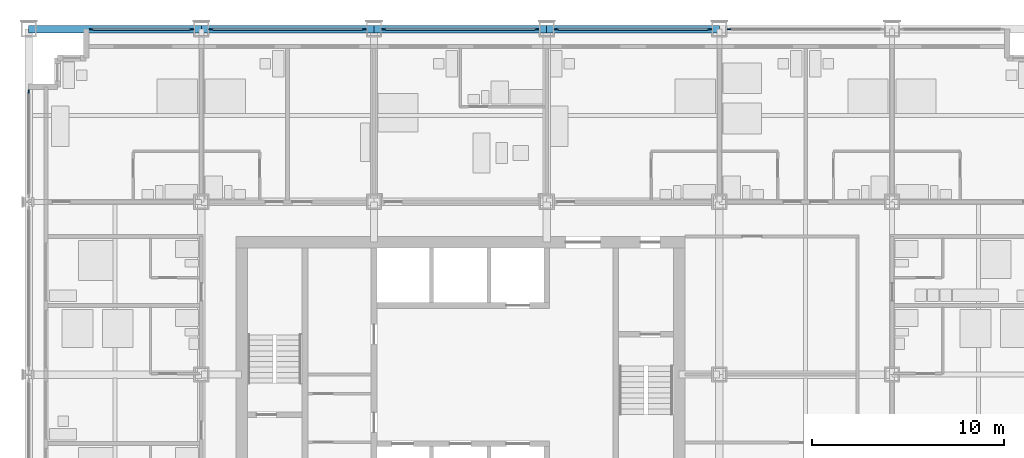
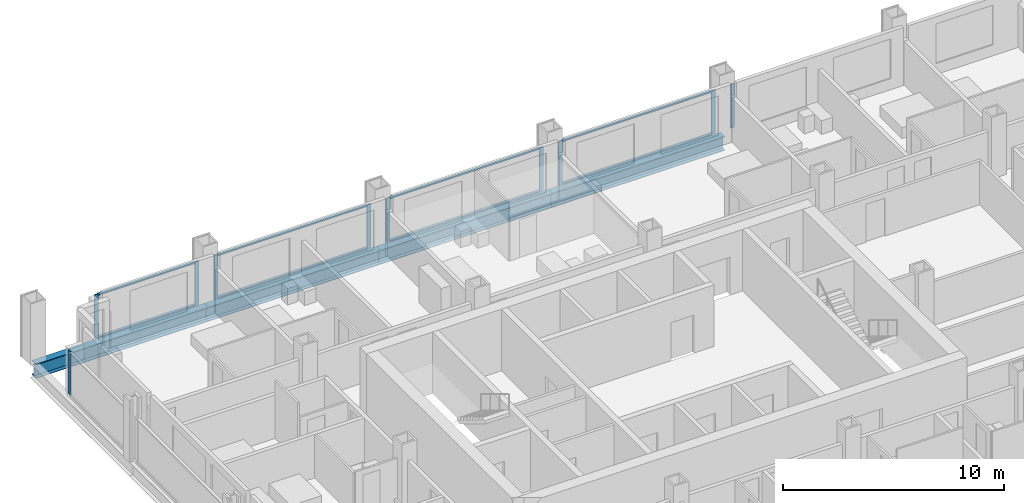
# One storey, part 7 of 18: 18 members, 4 beams, 6 elements without a shape of their own.
"""IFC4 building model written with IfcOpenShell, lengths in metres."""

from ifc_helpers import new_model, si_unit, direction, frame, origin, origin_2d, place, context, subcontext, project, spatial, rectangle, i_section, extrude, material, material_profile, profile_set, type_object, element, aggregate, save


model = new_model("IFC4")

# Units and contexts
model_context = context("Model", 3, precision=1e-05, world=origin(), true_north=direction((0.0, 1.0)))
body_context = subcontext(model_context, "Body", "Model", "MODEL_VIEW")
ifc_project = project(units=[si_unit("LENGTHUNIT", "METRE"), si_unit("AREAUNIT", "SQUARE_METRE"), si_unit("VOLUMEUNIT", "CUBIC_METRE"), si_unit("PLANEANGLEUNIT", "RADIAN"), si_unit("MASSUNIT", "GRAM", prefix="KILO")], contexts=[model_context])

# Site, building, storey
site_placement = place(None, origin())
site = spatial("IfcSite", under=ifc_project, at=site_placement, CompositionType="ELEMENT")
building_placement = place(site_placement, origin())
building = spatial("IfcBuilding", under=site, at=building_placement, Name="Loomwork Tower", CompositionType="ELEMENT")
storey_placement = place(building_placement, frame((0.0, 0.0, 82.39990234375)))
storey = spatial("IfcBuildingStorey", under=building, at=storey_placement, Name="L21", CompositionType="ELEMENT", Elevation=82.39990234375)

# Curtain wall, members
ifc_material_1 = material(Name="Aluminium curtain wall frame", Category="aluminium")
curtain_wall_type = type_object("IfcCurtainWallType", Name="Outer skin glazing hotel", PredefinedType="NOTDEFINED", material=ifc_material_1)
curtain_wall_1_placement = place(storey_placement, origin())
curtain_wall_1 = element("IfcCurtainWall", 1, at=curtain_wall_1_placement, inside=storey, type_object=curtain_wall_type, Name="Outer skin glazing hotel cw/N-0", PredefinedType="NOTDEFINED")
ifc_material_2 = material(Name="Aluminium curtain wall frame", Category="aluminium")
ifc_material_profile_1 = material_profile(ifc_material_2, rectangle(XDim=0.06494140625, YDim=0.199951171875, at=origin_2d()), Name="AL 65x200")
ifc_profile_set_1 = profile_set([ifc_material_profile_1], Name="Aluminium curtain wall frame")
member_type_1 = type_object("IfcMemberType", Name="Outer skin glazing hotel mullion", PredefinedType="MULLION", material=ifc_profile_set_1)
member_1_placement = place(storey_placement, frame((8.5, 36.0, 0.0), z_axis=(0.0, 0.0, 1.0), x_axis=(0.0, -1.0, 0.0)))
member_1 = element("IfcMember", 2, at=member_1_placement, type_object=member_type_1, Name="CW1 mullion 1", PredefinedType="MULLION", context=body_context, shape_type="SweptSolid", body=[
    extrude(rectangle(XDim=0.06494140625, YDim=0.199951171875, at=origin_2d()), origin(), (0.0, 0.0, 1.0), 2.42041015625),
])
member_2_placement = place(storey_placement, frame((3.25, 36.0, 0.0), z_axis=(0.0, 0.0, 1.0), x_axis=(0.0, -1.0, 0.0)))
member_2 = element("IfcMember", 3, at=member_2_placement, type_object=member_type_1, Name="CW1 mullion 2", PredefinedType="MULLION", context=body_context, shape_type="SweptSolid", body=[
    extrude(rectangle(XDim=0.06494140625, YDim=0.199951171875, at=origin_2d()), origin(), (0.0, 0.0, 1.0), 2.42041015625),
])

curtain_wall_2_placement = place(storey_placement, origin())
curtain_wall_2 = element("IfcCurtainWall", 4, at=curtain_wall_2_placement, inside=storey, type_object=curtain_wall_type, Name="Outer skin glazing hotel cw/N-9", PredefinedType="NOTDEFINED")
member_3_placement = place(storey_placement, frame((17.5, 36.0, 0.0), z_axis=(0.0, 0.0, 1.0), x_axis=(0.0, -1.0, 0.0)))
member_3 = element("IfcMember", 5, at=member_3_placement, type_object=member_type_1, Name="CW1 mullion 1", PredefinedType="MULLION", context=body_context, shape_type="SweptSolid", body=[
    extrude(rectangle(XDim=0.06494140625, YDim=0.199951171875, at=origin_2d()), origin(), (0.0, 0.0, 1.0), 2.42041015625),
])
member_4_placement = place(storey_placement, frame((9.5, 36.0, 0.0), z_axis=(0.0, 0.0, 1.0), x_axis=(0.0, -1.0, 0.0)))
member_4 = element("IfcMember", 6, at=member_4_placement, type_object=member_type_1, Name="CW1 mullion 2", PredefinedType="MULLION", context=body_context, shape_type="SweptSolid", body=[
    extrude(rectangle(XDim=0.06494140625, YDim=0.199951171875, at=origin_2d()), origin(), (0.0, 0.0, 1.0), 2.42041015625),
])

curtain_wall_3_placement = place(storey_placement, origin())
curtain_wall_3 = element("IfcCurtainWall", 7, at=curtain_wall_3_placement, inside=storey, type_object=curtain_wall_type, Name="Outer skin glazing hotel cw/N-18", PredefinedType="NOTDEFINED")
member_5_placement = place(storey_placement, frame((26.5, 36.0, 0.0), z_axis=(0.0, 0.0, 1.0), x_axis=(0.0, -1.0, 0.0)))
member_5 = element("IfcMember", 8, at=member_5_placement, type_object=member_type_1, Name="CW1 mullion 1", PredefinedType="MULLION", context=body_context, shape_type="SweptSolid", body=[
    extrude(rectangle(XDim=0.06494140625, YDim=0.199951171875, at=origin_2d()), origin(), (0.0, 0.0, 1.0), 2.42041015625),
])
member_6_placement = place(storey_placement, frame((18.5, 36.0, 0.0), z_axis=(0.0, 0.0, 1.0), x_axis=(0.0, -1.0, 0.0)))
member_6 = element("IfcMember", 9, at=member_6_placement, type_object=member_type_1, Name="CW1 mullion 2", PredefinedType="MULLION", context=body_context, shape_type="SweptSolid", body=[
    extrude(rectangle(XDim=0.06494140625, YDim=0.199951171875, at=origin_2d()), origin(), (0.0, 0.0, 1.0), 2.42041015625),
])

curtain_wall_4_placement = place(storey_placement, origin())
curtain_wall_4 = element("IfcCurtainWall", 10, at=curtain_wall_4_placement, inside=storey, type_object=curtain_wall_type, Name="Outer skin glazing hotel cw/N-27", PredefinedType="NOTDEFINED")
member_7_placement = place(storey_placement, frame((35.5, 36.0, 0.0), z_axis=(0.0, 0.0, 1.0), x_axis=(0.0, -1.0, 0.0)))
member_7 = element("IfcMember", 11, at=member_7_placement, type_object=member_type_1, Name="CW1 mullion 1", PredefinedType="MULLION", context=body_context, shape_type="SweptSolid", body=[
    extrude(rectangle(XDim=0.06494140625, YDim=0.199951171875, at=origin_2d()), origin(), (0.0, 0.0, 1.0), 2.42041015625),
])
member_8_placement = place(storey_placement, frame((27.5, 36.0, 0.0), z_axis=(0.0, 0.0, 1.0), x_axis=(0.0, -1.0, 0.0)))
member_8 = element("IfcMember", 12, at=member_8_placement, type_object=member_type_1, Name="CW1 mullion 2", PredefinedType="MULLION", context=body_context, shape_type="SweptSolid", body=[
    extrude(rectangle(XDim=0.06494140625, YDim=0.199951171875, at=origin_2d()), origin(), (0.0, 0.0, 1.0), 2.42041015625),
])

# Curtain wall, member
curtain_wall_5_placement = place(storey_placement, origin())
curtain_wall_5 = element("IfcCurtainWall", 13, at=curtain_wall_5_placement, inside=storey, type_object=curtain_wall_type, Name="Outer skin glazing hotel cw/N-36", PredefinedType="NOTDEFINED")
member_9_placement = place(storey_placement, frame((36.5, 36.0, 0.0), z_axis=(0.0, 0.0, 1.0), x_axis=(0.0, -1.0, 0.0)))
member_9 = element("IfcMember", 14, at=member_9_placement, type_object=member_type_1, Name="CW1 mullion 2", PredefinedType="MULLION", context=body_context, shape_type="SweptSolid", body=[
    extrude(rectangle(XDim=0.06494140625, YDim=0.199951171875, at=origin_2d()), origin(), (0.0, 0.0, 1.0), 2.42041015625),
])
aggregate(curtain_wall_5, [member_9])

curtain_wall_6_placement = place(storey_placement, origin())
curtain_wall_6 = element("IfcCurtainWall", 15, at=curtain_wall_6_placement, inside=storey, type_object=curtain_wall_type, Name="Outer skin glazing hotel cw/W-27", PredefinedType="NOTDEFINED")
member_10_placement = place(storey_placement, frame((0.0, 32.75, 0.0), z_axis=(0.0, 0.0, 1.0), x_axis=(1.0, 0.0, 0.0)))
member_10 = element("IfcMember", 16, at=member_10_placement, type_object=member_type_1, Name="CW1 mullion 1", PredefinedType="MULLION", context=body_context, shape_type="SweptSolid", body=[
    extrude(rectangle(XDim=0.06494140625, YDim=0.199951171875, at=origin_2d()), origin(), (0.0, 0.0, 1.0), 2.42041015625),
])
aggregate(curtain_wall_6, [member_10])

# Member
ifc_material_3 = material(Name="Aluminium curtain wall frame", Category="aluminium")
ifc_material_profile_2 = material_profile(ifc_material_3, rectangle(XDim=0.14990234375, YDim=0.06494140625, at=origin_2d()), Name="AL 65x150")
ifc_profile_set_2 = profile_set([ifc_material_profile_2], Name="Aluminium curtain wall frame")
member_type_2 = type_object("IfcMemberType", Name="Outer skin glazing hotel transom", PredefinedType="USERDEFINED", material=ifc_profile_set_2)
member_11_placement = place(storey_placement, frame((8.39990234375, 36.0, 0.03271484375), z_axis=(-1.0, 0.0, 0.0), x_axis=(0.0, -1.0, 0.0)))
member_11 = element("IfcMember", 17, at=member_11_placement, type_object=member_type_2, Name="CW1 transom 1.1", ObjectType="TRANSOM", PredefinedType="USERDEFINED", context=body_context, shape_type="SweptSolid", body=[
    extrude(rectangle(XDim=0.14990234375, YDim=0.06494140625, at=origin_2d()), origin(), (0.0, 0.0, 1.0), 5.0498046875),
])

member_12_placement = place(storey_placement, frame((8.39990234375, 36.0, 2.3876953125), z_axis=(-1.0, 0.0, 0.0), x_axis=(0.0, -1.0, 0.0)))
member_12 = element("IfcMember", 18, at=member_12_placement, type_object=member_type_2, Name="CW1 transom 1.2", ObjectType="TRANSOM", PredefinedType="USERDEFINED", context=body_context, shape_type="SweptSolid", body=[
    extrude(rectangle(XDim=0.14990234375, YDim=0.06494140625, at=origin_2d()), origin(), (0.0, 0.0, 1.0), 5.0498046875),
])

aggregate(curtain_wall_1, [member_1, member_2, member_11, member_12])

member_13_placement = place(storey_placement, frame((17.39990234375, 36.0, 0.03271484375), z_axis=(-1.0, 0.0, 0.0), x_axis=(0.0, -1.0, 0.0)))
member_13 = element("IfcMember", 19, at=member_13_placement, type_object=member_type_2, Name="CW1 transom 1.1", ObjectType="TRANSOM", PredefinedType="USERDEFINED", context=body_context, shape_type="SweptSolid", body=[
    extrude(rectangle(XDim=0.14990234375, YDim=0.06494140625, at=origin_2d()), origin(), (0.0, 0.0, 1.0), 7.7998046875),
])

member_14_placement = place(storey_placement, frame((17.39990234375, 36.0, 2.3876953125), z_axis=(-1.0, 0.0, 0.0), x_axis=(0.0, -1.0, 0.0)))
member_14 = element("IfcMember", 20, at=member_14_placement, type_object=member_type_2, Name="CW1 transom 1.2", ObjectType="TRANSOM", PredefinedType="USERDEFINED", context=body_context, shape_type="SweptSolid", body=[
    extrude(rectangle(XDim=0.14990234375, YDim=0.06494140625, at=origin_2d()), origin(), (0.0, 0.0, 1.0), 7.7998046875),
])

aggregate(curtain_wall_2, [member_3, member_4, member_13, member_14])

member_15_placement = place(storey_placement, frame((26.39990234375, 36.0, 0.03271484375), z_axis=(-1.0, 0.0, 0.0), x_axis=(0.0, -1.0, 0.0)))
member_15 = element("IfcMember", 21, at=member_15_placement, type_object=member_type_2, Name="CW1 transom 1.1", ObjectType="TRANSOM", PredefinedType="USERDEFINED", context=body_context, shape_type="SweptSolid", body=[
    extrude(rectangle(XDim=0.14990234375, YDim=0.06494140625, at=origin_2d()), origin(), (0.0, 0.0, 1.0), 7.7998046875),
])

member_16_placement = place(storey_placement, frame((26.39990234375, 36.0, 2.3876953125), z_axis=(-1.0, 0.0, 0.0), x_axis=(0.0, -1.0, 0.0)))
member_16 = element("IfcMember", 22, at=member_16_placement, type_object=member_type_2, Name="CW1 transom 1.2", ObjectType="TRANSOM", PredefinedType="USERDEFINED", context=body_context, shape_type="SweptSolid", body=[
    extrude(rectangle(XDim=0.14990234375, YDim=0.06494140625, at=origin_2d()), origin(), (0.0, 0.0, 1.0), 7.7998046875),
])

aggregate(curtain_wall_3, [member_5, member_6, member_15, member_16])

member_17_placement = place(storey_placement, frame((35.39990234375, 36.0, 0.03271484375), z_axis=(-1.0, 0.0, 0.0), x_axis=(0.0, -1.0, 0.0)))
member_17 = element("IfcMember", 23, at=member_17_placement, type_object=member_type_2, Name="CW1 transom 1.1", ObjectType="TRANSOM", PredefinedType="USERDEFINED", context=body_context, shape_type="SweptSolid", body=[
    extrude(rectangle(XDim=0.14990234375, YDim=0.06494140625, at=origin_2d()), origin(), (0.0, 0.0, 1.0), 7.7998046875),
])

member_18_placement = place(storey_placement, frame((35.39990234375, 36.0, 2.3876953125), z_axis=(-1.0, 0.0, 0.0), x_axis=(0.0, -1.0, 0.0)))
member_18 = element("IfcMember", 24, at=member_18_placement, type_object=member_type_2, Name="CW1 transom 1.2", ObjectType="TRANSOM", PredefinedType="USERDEFINED", context=body_context, shape_type="SweptSolid", body=[
    extrude(rectangle(XDim=0.14990234375, YDim=0.06494140625, at=origin_2d()), origin(), (0.0, 0.0, 1.0), 7.7998046875),
])

aggregate(curtain_wall_4, [member_7, member_8, member_17, member_18])

# Beams
ifc_material_4 = material(Name="Steel ASTM A992", Category="steel")
ifc_material_profile_3 = material_profile(ifc_material_4, i_section(OverallWidth=0.381103515625, OverallDepth=0.77978515625, WebThickness=0.01806640625, FlangeThickness=0.0302734375, at=origin_2d()), Name="W30x191")
ifc_profile_set_3 = profile_set([ifc_material_profile_3], Name="Steel ASTM A992")
beam_type = type_object("IfcBeamType", Name="SPANDREL GIRDER W30x191", PredefinedType="SPANDREL", material=ifc_profile_set_3)
for number, where, z_axis, x_axis, name in (
    (25, (0.0, 36.0, -0.58984375), (1.0, 0.0, 0.0), (0.0, 1.0, 0.0), "Spandrel Girder H/2-H/3 L21"),
    (26, (9.0, 36.0, -0.58984375), (1.0, 0.0, 0.0), (0.0, 1.0, 0.0), "Spandrel Girder H/3-H/4 L21"),
    (27, (18.0, 36.0, -0.58984375), (1.0, 0.0, 0.0), (0.0, 1.0, 0.0), "Spandrel Girder H/4-H/5 L21"),
    (28, (27.0, 36.0, -0.58984375), (1.0, 0.0, 0.0), (0.0, 1.0, 0.0), "Spandrel Girder H/5-H/6 L21"),
):
    element("IfcBeam", number, at=place(storey_placement, frame(where, z_axis=z_axis, x_axis=x_axis)), inside=storey, type_object=beam_type, Name=name, PredefinedType="SPANDREL", context=body_context, shape_type="SweptSolid", body=[
        extrude(i_section(OverallWidth=0.381103515625, OverallDepth=0.77978515625, WebThickness=0.01806640625, FlangeThickness=0.0302734375, at=origin_2d()), origin(), (0.0, 0.0, 1.0), 9.0),
    ])

save(model, "model.ifc")
